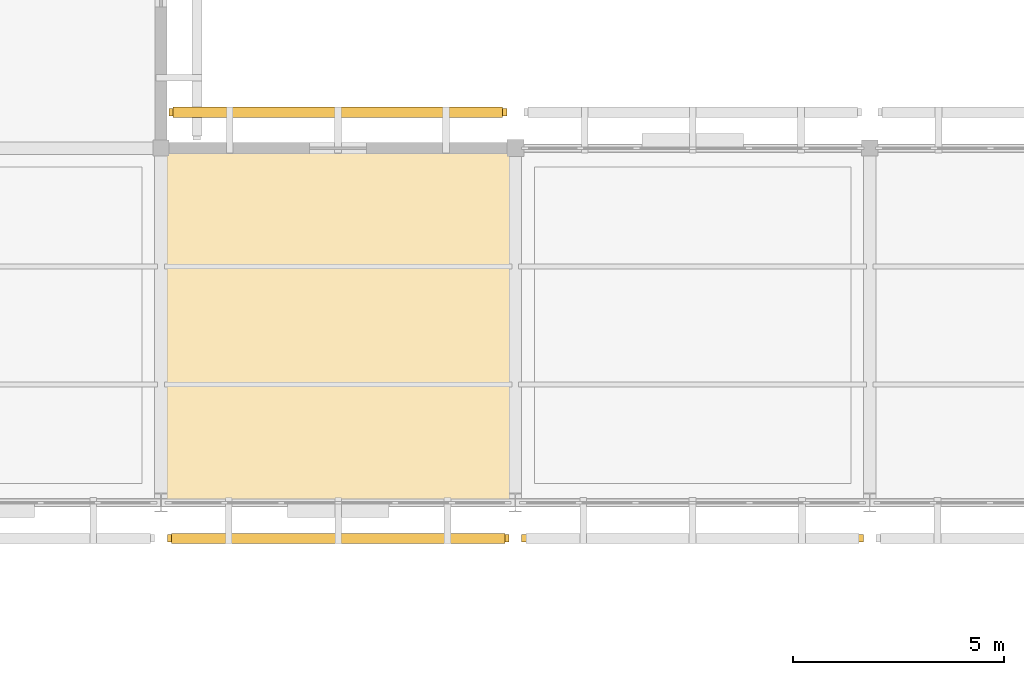
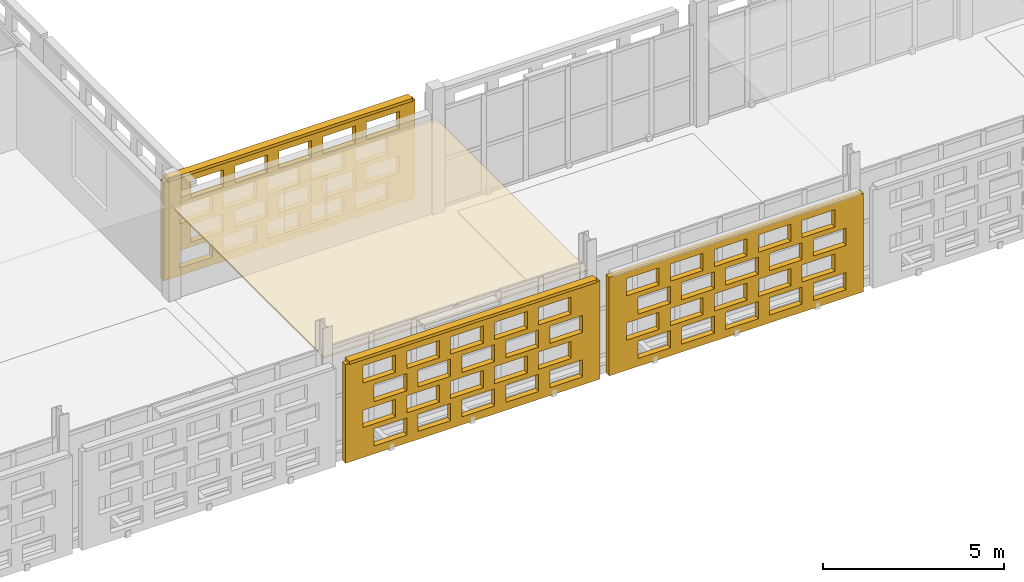
# One storey, part 140 of 166: 4 coverings, 2 shading devices, 60 openings.
"""IFC4 building model written with IfcOpenShell, lengths in metres."""

from ifc_helpers import new_model, si_unit, direction, frame, frame_2d, origin, origin_2d, place, context, subcontext, project, spatial, rectangle, extrude, material, layer, layer_set, type_object, element, save


model = new_model("IFC4")

# Units and contexts
model_context = context("Model", 3, precision=1e-05, world=origin(), true_north=direction((0.0, 1.0)))
body_context = subcontext(model_context, "Body", "Model", "MODEL_VIEW")
ifc_project = project(units=[si_unit("LENGTHUNIT", "METRE"), si_unit("AREAUNIT", "SQUARE_METRE"), si_unit("VOLUMEUNIT", "CUBIC_METRE"), si_unit("PLANEANGLEUNIT", "RADIAN"), si_unit("MASSUNIT", "GRAM", prefix="KILO")], contexts=[model_context])

# Site, building, storey
site_placement = place(None, origin())
site = spatial("IfcSite", under=ifc_project, at=site_placement, CompositionType="ELEMENT")
building_placement = place(site_placement, origin())
building = spatial("IfcBuilding", under=site, at=building_placement, Name="Varnapada Polytechnic", CompositionType="ELEMENT")
storey_placement = place(building_placement, frame((0.0, 0.0, 9.60009765625)))
storey = spatial("IfcBuildingStorey", under=building, at=storey_placement, Name="L02", CompositionType="ELEMENT", Elevation=9.60009765625)

# Covering
ifc_material_1 = material(Name="Slatted Merbau Timber Acoustic Ceiling", Category="wood")
ifc_layer_1 = layer(ifc_material_1, 0.054931640625)
ifc_layer_set_1 = layer_set([ifc_layer_1], Name="Slatted Merbau Timber Acoustic Ceiling")
covering_type_1 = type_object("IfcCoveringType", Name="Suspended Ceiling CLG-05", PredefinedType="CEILING", material=ifc_layer_set_1)
covering_1_placement = place(storey_placement, frame((71.39990234375, 88.199951171875, 3.0224609375), z_axis=(0.0, 0.0, 1.0), x_axis=(1.0, 0.0, 0.0)))
element("IfcCovering", 1, at=covering_1_placement, inside=storey, type_object=covering_type_1, Name="L02 suspended acoustic ceiling (9,11)", PredefinedType="CEILING", context=body_context, shape_type="SweptSolid", body=[
    extrude(rectangle(XDim=8.419921875, YDim=8.419921875, at=origin_2d()), origin(), (0.0, 0.0, 1.0), 0.054931640625),
])

# Covering, openings
ifc_material_2 = material(Name="Earth-toned architectural terracotta screen block", Category="masonry")
ifc_layer_2 = layer(ifc_material_2, 0.1201171875)
ifc_layer_set_2 = layer_set([ifc_layer_2], Name="Earth-toned architectural terracotta screen block")
covering_type_2 = type_object("IfcCoveringType", Name="Terracotta Screen Cladding CLD-01", PredefinedType="CLADDING", material=ifc_layer_set_2)
covering_2_placement = place(storey_placement, frame((75.449951171875, 83.14990234375, 0.0), z_axis=(0.0, 0.0, 1.0), x_axis=(-1.0, 0.0, 0.0)))
covering_2 = element("IfcCovering", 2, at=covering_2_placement, inside=storey, type_object=covering_type_2, Name="L02 perforated terracotta block screen (58)", PredefinedType="CLADDING", context=body_context, shape_type="SweptSolid", body=[
    extrude(rectangle(XDim=8.099853515625, YDim=0.179931640625, at=frame_2d((4.0498046875, 0.0))), origin(), (0.0, 0.0, 1.0), 3.31982421875),
])
opening_1_placement = place(covering_2_placement, frame((0.550048828125, 0.0, 0.265625)))
element("IfcOpeningElement", 3, at=opening_1_placement, cuts=covering_2, Name="Screen perforation TBS-L02-057.1", PredefinedType="OPENING", context=body_context, shape_type="SweptSolid", body=[
    extrude(rectangle(XDim=1.0400390625, YDim=0.5810546875, at=frame_2d((0.52001953125, 0.29052734375))), frame((0.0, 0.099853515625, 0.0), z_axis=(0.0, -1.0, 0.0), x_axis=(1.0, 0.0, 0.0)), (0.0, 0.0, 1.0), 0.199951171875),
])
opening_2_placement = place(covering_2_placement, frame((1.949951171875, 0.0, 0.265625)))
element("IfcOpeningElement", 4, at=opening_2_placement, cuts=covering_2, Name="Screen perforation TBS-L02-057.2", PredefinedType="OPENING", context=body_context, shape_type="SweptSolid", body=[
    extrude(rectangle(XDim=1.0400390625, YDim=0.5810546875, at=frame_2d((0.52001953125, 0.29052734375))), frame((0.0, 0.099853515625, 0.0), z_axis=(0.0, -1.0, 0.0), x_axis=(1.0, 0.0, 0.0)), (0.0, 0.0, 1.0), 0.199951171875),
])
opening_3_placement = place(covering_2_placement, frame((3.35009765625, 0.0, 0.265625)))
element("IfcOpeningElement", 5, at=opening_3_placement, cuts=covering_2, Name="Screen perforation TBS-L02-057.3", PredefinedType="OPENING", context=body_context, shape_type="SweptSolid", body=[
    extrude(rectangle(XDim=1.0400390625, YDim=0.5810546875, at=frame_2d((0.52001953125, 0.29052734375))), frame((0.0, 0.099853515625, 0.0), z_axis=(0.0, -1.0, 0.0), x_axis=(1.0, 0.0, 0.0)), (0.0, 0.0, 1.0), 0.199951171875),
])
opening_4_placement = place(covering_2_placement, frame((4.75, 0.0, 0.265625)))
element("IfcOpeningElement", 6, at=opening_4_placement, cuts=covering_2, Name="Screen perforation TBS-L02-057.4", PredefinedType="OPENING", context=body_context, shape_type="SweptSolid", body=[
    extrude(rectangle(XDim=1.0400390625, YDim=0.5810546875, at=frame_2d((0.52001953125, 0.29052734375))), frame((0.0, 0.099853515625, 0.0), z_axis=(0.0, -1.0, 0.0), x_axis=(1.0, 0.0, 0.0)), (0.0, 0.0, 1.0), 0.199951171875),
])
opening_5_placement = place(covering_2_placement, frame((6.14990234375, 0.0, 0.265625)))
element("IfcOpeningElement", 7, at=opening_5_placement, cuts=covering_2, Name="Screen perforation TBS-L02-057.5", PredefinedType="OPENING", context=body_context, shape_type="SweptSolid", body=[
    extrude(rectangle(XDim=1.0400390625, YDim=0.5810546875, at=frame_2d((0.52001953125, 0.29052734375))), frame((0.0, 0.099853515625, 0.0), z_axis=(0.0, -1.0, 0.0), x_axis=(1.0, 0.0, 0.0)), (0.0, 0.0, 1.0), 0.199951171875),
])
opening_6_placement = place(covering_2_placement, frame((0.909912109375, 0.0, 1.0126953125)))
element("IfcOpeningElement", 8, at=opening_6_placement, cuts=covering_2, Name="Screen perforation TBS-L02-057.6", PredefinedType="OPENING", context=body_context, shape_type="SweptSolid", body=[
    extrude(rectangle(XDim=1.0400390625, YDim=0.5810546875, at=frame_2d((0.52001953125, 0.29052734375))), frame((0.0, 0.099853515625, 0.0), z_axis=(0.0, -1.0, 0.0), x_axis=(1.0, 0.0, 0.0)), (0.0, 0.0, 1.0), 0.199951171875),
])
opening_7_placement = place(covering_2_placement, frame((2.31005859375, 0.0, 1.0126953125)))
element("IfcOpeningElement", 9, at=opening_7_placement, cuts=covering_2, Name="Screen perforation TBS-L02-057.7", PredefinedType="OPENING", context=body_context, shape_type="SweptSolid", body=[
    extrude(rectangle(XDim=1.0400390625, YDim=0.5810546875, at=frame_2d((0.52001953125, 0.29052734375))), frame((0.0, 0.099853515625, 0.0), z_axis=(0.0, -1.0, 0.0), x_axis=(1.0, 0.0, 0.0)), (0.0, 0.0, 1.0), 0.199951171875),
])
opening_8_placement = place(covering_2_placement, frame((3.7099609375, 0.0, 1.0126953125)))
element("IfcOpeningElement", 10, at=opening_8_placement, cuts=covering_2, Name="Screen perforation TBS-L02-057.8", PredefinedType="OPENING", context=body_context, shape_type="SweptSolid", body=[
    extrude(rectangle(XDim=1.0400390625, YDim=0.5810546875, at=frame_2d((0.52001953125, 0.29052734375))), frame((0.0, 0.099853515625, 0.0), z_axis=(0.0, -1.0, 0.0), x_axis=(1.0, 0.0, 0.0)), (0.0, 0.0, 1.0), 0.199951171875),
])
opening_9_placement = place(covering_2_placement, frame((5.110107421875, 0.0, 1.0126953125)))
element("IfcOpeningElement", 11, at=opening_9_placement, cuts=covering_2, Name="Screen perforation TBS-L02-057.9", PredefinedType="OPENING", context=body_context, shape_type="SweptSolid", body=[
    extrude(rectangle(XDim=1.0400390625, YDim=0.5810546875, at=frame_2d((0.52001953125, 0.29052734375))), frame((0.0, 0.099853515625, 0.0), z_axis=(0.0, -1.0, 0.0), x_axis=(1.0, 0.0, 0.0)), (0.0, 0.0, 1.0), 0.199951171875),
])
opening_10_placement = place(covering_2_placement, frame((6.510009765625, 0.0, 1.0126953125)))
element("IfcOpeningElement", 12, at=opening_10_placement, cuts=covering_2, Name="Screen perforation TBS-L02-057.10", PredefinedType="OPENING", context=body_context, shape_type="SweptSolid", body=[
    extrude(rectangle(XDim=1.0400390625, YDim=0.5810546875, at=frame_2d((0.52001953125, 0.29052734375))), frame((0.0, 0.099853515625, 0.0), z_axis=(0.0, -1.0, 0.0), x_axis=(1.0, 0.0, 0.0)), (0.0, 0.0, 1.0), 0.199951171875),
])
opening_11_placement = place(covering_2_placement, frame((0.550048828125, 0.0, 1.759521484375)))
element("IfcOpeningElement", 13, at=opening_11_placement, cuts=covering_2, Name="Screen perforation TBS-L02-057.11", PredefinedType="OPENING", context=body_context, shape_type="SweptSolid", body=[
    extrude(rectangle(XDim=1.0400390625, YDim=0.5810546875, at=frame_2d((0.52001953125, 0.29052734375))), frame((0.0, 0.099853515625, 0.0), z_axis=(0.0, -1.0, 0.0), x_axis=(1.0, 0.0, 0.0)), (0.0, 0.0, 1.0), 0.199951171875),
])
opening_12_placement = place(covering_2_placement, frame((1.949951171875, 0.0, 1.759521484375)))
element("IfcOpeningElement", 14, at=opening_12_placement, cuts=covering_2, Name="Screen perforation TBS-L02-057.12", PredefinedType="OPENING", context=body_context, shape_type="SweptSolid", body=[
    extrude(rectangle(XDim=1.0400390625, YDim=0.5810546875, at=frame_2d((0.52001953125, 0.29052734375))), frame((0.0, 0.099853515625, 0.0), z_axis=(0.0, -1.0, 0.0), x_axis=(1.0, 0.0, 0.0)), (0.0, 0.0, 1.0), 0.199951171875),
])
opening_13_placement = place(covering_2_placement, frame((3.35009765625, 0.0, 1.759521484375)))
element("IfcOpeningElement", 15, at=opening_13_placement, cuts=covering_2, Name="Screen perforation TBS-L02-057.13", PredefinedType="OPENING", context=body_context, shape_type="SweptSolid", body=[
    extrude(rectangle(XDim=1.0400390625, YDim=0.5810546875, at=frame_2d((0.52001953125, 0.29052734375))), frame((0.0, 0.099853515625, 0.0), z_axis=(0.0, -1.0, 0.0), x_axis=(1.0, 0.0, 0.0)), (0.0, 0.0, 1.0), 0.199951171875),
])
opening_14_placement = place(covering_2_placement, frame((4.75, 0.0, 1.759521484375)))
element("IfcOpeningElement", 16, at=opening_14_placement, cuts=covering_2, Name="Screen perforation TBS-L02-057.14", PredefinedType="OPENING", context=body_context, shape_type="SweptSolid", body=[
    extrude(rectangle(XDim=1.0400390625, YDim=0.5810546875, at=frame_2d((0.52001953125, 0.29052734375))), frame((0.0, 0.099853515625, 0.0), z_axis=(0.0, -1.0, 0.0), x_axis=(1.0, 0.0, 0.0)), (0.0, 0.0, 1.0), 0.199951171875),
])
opening_15_placement = place(covering_2_placement, frame((6.14990234375, 0.0, 1.759521484375)))
element("IfcOpeningElement", 17, at=opening_15_placement, cuts=covering_2, Name="Screen perforation TBS-L02-057.15", PredefinedType="OPENING", context=body_context, shape_type="SweptSolid", body=[
    extrude(rectangle(XDim=1.0400390625, YDim=0.5810546875, at=frame_2d((0.52001953125, 0.29052734375))), frame((0.0, 0.099853515625, 0.0), z_axis=(0.0, -1.0, 0.0), x_axis=(1.0, 0.0, 0.0)), (0.0, 0.0, 1.0), 0.199951171875),
])
opening_16_placement = place(covering_2_placement, frame((0.909912109375, 0.0, 2.506591796875)))
element("IfcOpeningElement", 18, at=opening_16_placement, cuts=covering_2, Name="Screen perforation TBS-L02-057.16", PredefinedType="OPENING", context=body_context, shape_type="SweptSolid", body=[
    extrude(rectangle(XDim=1.0400390625, YDim=0.5810546875, at=frame_2d((0.52001953125, 0.29052734375))), frame((0.0, 0.099853515625, 0.0), z_axis=(0.0, -1.0, 0.0), x_axis=(1.0, 0.0, 0.0)), (0.0, 0.0, 1.0), 0.199951171875),
])
opening_17_placement = place(covering_2_placement, frame((2.31005859375, 0.0, 2.506591796875)))
element("IfcOpeningElement", 19, at=opening_17_placement, cuts=covering_2, Name="Screen perforation TBS-L02-057.17", PredefinedType="OPENING", context=body_context, shape_type="SweptSolid", body=[
    extrude(rectangle(XDim=1.0400390625, YDim=0.5810546875, at=frame_2d((0.52001953125, 0.29052734375))), frame((0.0, 0.099853515625, 0.0), z_axis=(0.0, -1.0, 0.0), x_axis=(1.0, 0.0, 0.0)), (0.0, 0.0, 1.0), 0.199951171875),
])
opening_18_placement = place(covering_2_placement, frame((3.7099609375, 0.0, 2.506591796875)))
element("IfcOpeningElement", 20, at=opening_18_placement, cuts=covering_2, Name="Screen perforation TBS-L02-057.18", PredefinedType="OPENING", context=body_context, shape_type="SweptSolid", body=[
    extrude(rectangle(XDim=1.0400390625, YDim=0.5810546875, at=frame_2d((0.52001953125, 0.29052734375))), frame((0.0, 0.099853515625, 0.0), z_axis=(0.0, -1.0, 0.0), x_axis=(1.0, 0.0, 0.0)), (0.0, 0.0, 1.0), 0.199951171875),
])
opening_19_placement = place(covering_2_placement, frame((5.110107421875, 0.0, 2.506591796875)))
element("IfcOpeningElement", 21, at=opening_19_placement, cuts=covering_2, Name="Screen perforation TBS-L02-057.19", PredefinedType="OPENING", context=body_context, shape_type="SweptSolid", body=[
    extrude(rectangle(XDim=1.0400390625, YDim=0.5810546875, at=frame_2d((0.52001953125, 0.29052734375))), frame((0.0, 0.099853515625, 0.0), z_axis=(0.0, -1.0, 0.0), x_axis=(1.0, 0.0, 0.0)), (0.0, 0.0, 1.0), 0.199951171875),
])
opening_20_placement = place(covering_2_placement, frame((6.510009765625, 0.0, 2.506591796875)))
element("IfcOpeningElement", 22, at=opening_20_placement, cuts=covering_2, Name="Screen perforation TBS-L02-057.20", PredefinedType="OPENING", context=body_context, shape_type="SweptSolid", body=[
    extrude(rectangle(XDim=1.0400390625, YDim=0.5810546875, at=frame_2d((0.52001953125, 0.29052734375))), frame((0.0, 0.099853515625, 0.0), z_axis=(0.0, -1.0, 0.0), x_axis=(1.0, 0.0, 0.0)), (0.0, 0.0, 1.0), 0.199951171875),
])

covering_3_placement = place(storey_placement, frame((67.389892578125, 93.25, 0.0), z_axis=(0.0, 0.0, 1.0), x_axis=(1.0, 0.0, 0.0)))
covering_3 = element("IfcCovering", 23, at=covering_3_placement, inside=storey, type_object=covering_type_2, Name="L02 perforated terracotta block screen (59)", PredefinedType="CLADDING", context=body_context, shape_type="SweptSolid", body=[
    extrude(rectangle(XDim=8.010009765625, YDim=0.179931640625, at=frame_2d((4.0048828125, 0.0))), origin(), (0.0, 0.0, 1.0), 3.31982421875),
])
opening_21_placement = place(covering_3_placement, frame((0.5048828125, 0.0, 0.265625)))
element("IfcOpeningElement", 24, at=opening_21_placement, cuts=covering_3, Name="Screen perforation TBS-L02-058.1", PredefinedType="OPENING", context=body_context, shape_type="SweptSolid", body=[
    extrude(rectangle(XDim=1.0400390625, YDim=0.5810546875, at=frame_2d((0.52001953125, 0.29052734375))), frame((0.0, 0.099853515625, 0.0), z_axis=(0.0, -1.0, 0.0), x_axis=(1.0, 0.0, 0.0)), (0.0, 0.0, 1.0), 0.199951171875),
])
opening_22_placement = place(covering_3_placement, frame((1.905029296875, 0.0, 0.265625)))
element("IfcOpeningElement", 25, at=opening_22_placement, cuts=covering_3, Name="Screen perforation TBS-L02-058.2", PredefinedType="OPENING", context=body_context, shape_type="SweptSolid", body=[
    extrude(rectangle(XDim=1.0400390625, YDim=0.5810546875, at=frame_2d((0.52001953125, 0.29052734375))), frame((0.0, 0.099853515625, 0.0), z_axis=(0.0, -1.0, 0.0), x_axis=(1.0, 0.0, 0.0)), (0.0, 0.0, 1.0), 0.199951171875),
])
opening_23_placement = place(covering_3_placement, frame((3.304931640625, 0.0, 0.265625)))
element("IfcOpeningElement", 26, at=opening_23_placement, cuts=covering_3, Name="Screen perforation TBS-L02-058.3", PredefinedType="OPENING", context=body_context, shape_type="SweptSolid", body=[
    extrude(rectangle(XDim=1.0400390625, YDim=0.5810546875, at=frame_2d((0.52001953125, 0.29052734375))), frame((0.0, 0.099853515625, 0.0), z_axis=(0.0, -1.0, 0.0), x_axis=(1.0, 0.0, 0.0)), (0.0, 0.0, 1.0), 0.199951171875),
])
opening_24_placement = place(covering_3_placement, frame((4.705078125, 0.0, 0.265625)))
element("IfcOpeningElement", 27, at=opening_24_placement, cuts=covering_3, Name="Screen perforation TBS-L02-058.4", PredefinedType="OPENING", context=body_context, shape_type="SweptSolid", body=[
    extrude(rectangle(XDim=1.0400390625, YDim=0.5810546875, at=frame_2d((0.52001953125, 0.29052734375))), frame((0.0, 0.099853515625, 0.0), z_axis=(0.0, -1.0, 0.0), x_axis=(1.0, 0.0, 0.0)), (0.0, 0.0, 1.0), 0.199951171875),
])
opening_25_placement = place(covering_3_placement, frame((6.10498046875, 0.0, 0.265625)))
element("IfcOpeningElement", 28, at=opening_25_placement, cuts=covering_3, Name="Screen perforation TBS-L02-058.5", PredefinedType="OPENING", context=body_context, shape_type="SweptSolid", body=[
    extrude(rectangle(XDim=1.0400390625, YDim=0.5810546875, at=frame_2d((0.52001953125, 0.29052734375))), frame((0.0, 0.099853515625, 0.0), z_axis=(0.0, -1.0, 0.0), x_axis=(1.0, 0.0, 0.0)), (0.0, 0.0, 1.0), 0.199951171875),
])
opening_26_placement = place(covering_3_placement, frame((0.864990234375, 0.0, 1.0126953125)))
element("IfcOpeningElement", 29, at=opening_26_placement, cuts=covering_3, Name="Screen perforation TBS-L02-058.6", PredefinedType="OPENING", context=body_context, shape_type="SweptSolid", body=[
    extrude(rectangle(XDim=1.0400390625, YDim=0.5810546875, at=frame_2d((0.52001953125, 0.29052734375))), frame((0.0, 0.099853515625, 0.0), z_axis=(0.0, -1.0, 0.0), x_axis=(1.0, 0.0, 0.0)), (0.0, 0.0, 1.0), 0.199951171875),
])
opening_27_placement = place(covering_3_placement, frame((2.264892578125, 0.0, 1.0126953125)))
element("IfcOpeningElement", 30, at=opening_27_placement, cuts=covering_3, Name="Screen perforation TBS-L02-058.7", PredefinedType="OPENING", context=body_context, shape_type="SweptSolid", body=[
    extrude(rectangle(XDim=1.0400390625, YDim=0.5810546875, at=frame_2d((0.52001953125, 0.29052734375))), frame((0.0, 0.099853515625, 0.0), z_axis=(0.0, -1.0, 0.0), x_axis=(1.0, 0.0, 0.0)), (0.0, 0.0, 1.0), 0.199951171875),
])
opening_28_placement = place(covering_3_placement, frame((3.6650390625, 0.0, 1.0126953125)))
element("IfcOpeningElement", 31, at=opening_28_placement, cuts=covering_3, Name="Screen perforation TBS-L02-058.8", PredefinedType="OPENING", context=body_context, shape_type="SweptSolid", body=[
    extrude(rectangle(XDim=1.0400390625, YDim=0.5810546875, at=frame_2d((0.52001953125, 0.29052734375))), frame((0.0, 0.099853515625, 0.0), z_axis=(0.0, -1.0, 0.0), x_axis=(1.0, 0.0, 0.0)), (0.0, 0.0, 1.0), 0.199951171875),
])
opening_29_placement = place(covering_3_placement, frame((5.06494140625, 0.0, 1.0126953125)))
element("IfcOpeningElement", 32, at=opening_29_placement, cuts=covering_3, Name="Screen perforation TBS-L02-058.9", PredefinedType="OPENING", context=body_context, shape_type="SweptSolid", body=[
    extrude(rectangle(XDim=1.0400390625, YDim=0.5810546875, at=frame_2d((0.52001953125, 0.29052734375))), frame((0.0, 0.099853515625, 0.0), z_axis=(0.0, -1.0, 0.0), x_axis=(1.0, 0.0, 0.0)), (0.0, 0.0, 1.0), 0.199951171875),
])
opening_30_placement = place(covering_3_placement, frame((6.465087890625, 0.0, 1.0126953125)))
element("IfcOpeningElement", 33, at=opening_30_placement, cuts=covering_3, Name="Screen perforation TBS-L02-058.10", PredefinedType="OPENING", context=body_context, shape_type="SweptSolid", body=[
    extrude(rectangle(XDim=1.0400390625, YDim=0.5810546875, at=frame_2d((0.52001953125, 0.29052734375))), frame((0.0, 0.099853515625, 0.0), z_axis=(0.0, -1.0, 0.0), x_axis=(1.0, 0.0, 0.0)), (0.0, 0.0, 1.0), 0.199951171875),
])
opening_31_placement = place(covering_3_placement, frame((0.5048828125, 0.0, 1.759521484375)))
element("IfcOpeningElement", 34, at=opening_31_placement, cuts=covering_3, Name="Screen perforation TBS-L02-058.11", PredefinedType="OPENING", context=body_context, shape_type="SweptSolid", body=[
    extrude(rectangle(XDim=1.0400390625, YDim=0.5810546875, at=frame_2d((0.52001953125, 0.29052734375))), frame((0.0, 0.099853515625, 0.0), z_axis=(0.0, -1.0, 0.0), x_axis=(1.0, 0.0, 0.0)), (0.0, 0.0, 1.0), 0.199951171875),
])
opening_32_placement = place(covering_3_placement, frame((1.905029296875, 0.0, 1.759521484375)))
element("IfcOpeningElement", 35, at=opening_32_placement, cuts=covering_3, Name="Screen perforation TBS-L02-058.12", PredefinedType="OPENING", context=body_context, shape_type="SweptSolid", body=[
    extrude(rectangle(XDim=1.0400390625, YDim=0.5810546875, at=frame_2d((0.52001953125, 0.29052734375))), frame((0.0, 0.099853515625, 0.0), z_axis=(0.0, -1.0, 0.0), x_axis=(1.0, 0.0, 0.0)), (0.0, 0.0, 1.0), 0.199951171875),
])
opening_33_placement = place(covering_3_placement, frame((3.304931640625, 0.0, 1.759521484375)))
element("IfcOpeningElement", 36, at=opening_33_placement, cuts=covering_3, Name="Screen perforation TBS-L02-058.13", PredefinedType="OPENING", context=body_context, shape_type="SweptSolid", body=[
    extrude(rectangle(XDim=1.0400390625, YDim=0.5810546875, at=frame_2d((0.52001953125, 0.29052734375))), frame((0.0, 0.099853515625, 0.0), z_axis=(0.0, -1.0, 0.0), x_axis=(1.0, 0.0, 0.0)), (0.0, 0.0, 1.0), 0.199951171875),
])
opening_34_placement = place(covering_3_placement, frame((4.705078125, 0.0, 1.759521484375)))
element("IfcOpeningElement", 37, at=opening_34_placement, cuts=covering_3, Name="Screen perforation TBS-L02-058.14", PredefinedType="OPENING", context=body_context, shape_type="SweptSolid", body=[
    extrude(rectangle(XDim=1.0400390625, YDim=0.5810546875, at=frame_2d((0.52001953125, 0.29052734375))), frame((0.0, 0.099853515625, 0.0), z_axis=(0.0, -1.0, 0.0), x_axis=(1.0, 0.0, 0.0)), (0.0, 0.0, 1.0), 0.199951171875),
])
opening_35_placement = place(covering_3_placement, frame((6.10498046875, 0.0, 1.759521484375)))
element("IfcOpeningElement", 38, at=opening_35_placement, cuts=covering_3, Name="Screen perforation TBS-L02-058.15", PredefinedType="OPENING", context=body_context, shape_type="SweptSolid", body=[
    extrude(rectangle(XDim=1.0400390625, YDim=0.5810546875, at=frame_2d((0.52001953125, 0.29052734375))), frame((0.0, 0.099853515625, 0.0), z_axis=(0.0, -1.0, 0.0), x_axis=(1.0, 0.0, 0.0)), (0.0, 0.0, 1.0), 0.199951171875),
])
opening_36_placement = place(covering_3_placement, frame((0.864990234375, 0.0, 2.506591796875)))
element("IfcOpeningElement", 39, at=opening_36_placement, cuts=covering_3, Name="Screen perforation TBS-L02-058.16", PredefinedType="OPENING", context=body_context, shape_type="SweptSolid", body=[
    extrude(rectangle(XDim=1.0400390625, YDim=0.5810546875, at=frame_2d((0.52001953125, 0.29052734375))), frame((0.0, 0.099853515625, 0.0), z_axis=(0.0, -1.0, 0.0), x_axis=(1.0, 0.0, 0.0)), (0.0, 0.0, 1.0), 0.199951171875),
])
opening_37_placement = place(covering_3_placement, frame((2.264892578125, 0.0, 2.506591796875)))
element("IfcOpeningElement", 40, at=opening_37_placement, cuts=covering_3, Name="Screen perforation TBS-L02-058.17", PredefinedType="OPENING", context=body_context, shape_type="SweptSolid", body=[
    extrude(rectangle(XDim=1.0400390625, YDim=0.5810546875, at=frame_2d((0.52001953125, 0.29052734375))), frame((0.0, 0.099853515625, 0.0), z_axis=(0.0, -1.0, 0.0), x_axis=(1.0, 0.0, 0.0)), (0.0, 0.0, 1.0), 0.199951171875),
])
opening_38_placement = place(covering_3_placement, frame((3.6650390625, 0.0, 2.506591796875)))
element("IfcOpeningElement", 41, at=opening_38_placement, cuts=covering_3, Name="Screen perforation TBS-L02-058.18", PredefinedType="OPENING", context=body_context, shape_type="SweptSolid", body=[
    extrude(rectangle(XDim=1.0400390625, YDim=0.5810546875, at=frame_2d((0.52001953125, 0.29052734375))), frame((0.0, 0.099853515625, 0.0), z_axis=(0.0, -1.0, 0.0), x_axis=(1.0, 0.0, 0.0)), (0.0, 0.0, 1.0), 0.199951171875),
])
opening_39_placement = place(covering_3_placement, frame((5.06494140625, 0.0, 2.506591796875)))
element("IfcOpeningElement", 42, at=opening_39_placement, cuts=covering_3, Name="Screen perforation TBS-L02-058.19", PredefinedType="OPENING", context=body_context, shape_type="SweptSolid", body=[
    extrude(rectangle(XDim=1.0400390625, YDim=0.5810546875, at=frame_2d((0.52001953125, 0.29052734375))), frame((0.0, 0.099853515625, 0.0), z_axis=(0.0, -1.0, 0.0), x_axis=(1.0, 0.0, 0.0)), (0.0, 0.0, 1.0), 0.199951171875),
])
opening_40_placement = place(covering_3_placement, frame((6.465087890625, 0.0, 2.506591796875)))
element("IfcOpeningElement", 43, at=opening_40_placement, cuts=covering_3, Name="Screen perforation TBS-L02-058.20", PredefinedType="OPENING", context=body_context, shape_type="SweptSolid", body=[
    extrude(rectangle(XDim=1.0400390625, YDim=0.5810546875, at=frame_2d((0.52001953125, 0.29052734375))), frame((0.0, 0.099853515625, 0.0), z_axis=(0.0, -1.0, 0.0), x_axis=(1.0, 0.0, 0.0)), (0.0, 0.0, 1.0), 0.199951171875),
])

covering_4_placement = place(storey_placement, frame((83.85009765625, 83.14990234375, 0.0), z_axis=(0.0, 0.0, 1.0), x_axis=(-1.0, 0.0, 0.0)))
covering_4 = element("IfcCovering", 44, at=covering_4_placement, inside=storey, type_object=covering_type_2, Name="L02 perforated terracotta block screen (60)", PredefinedType="CLADDING", context=body_context, shape_type="SweptSolid", body=[
    extrude(rectangle(XDim=8.10009765625, YDim=0.179931640625, at=frame_2d((4.050048828125, 0.0))), origin(), (0.0, 0.0, 1.0), 3.31982421875),
])
opening_41_placement = place(covering_4_placement, frame((0.550048828125, 0.0, 0.265625)))
element("IfcOpeningElement", 45, at=opening_41_placement, cuts=covering_4, Name="Screen perforation TBS-L02-059.1", PredefinedType="OPENING", context=body_context, shape_type="SweptSolid", body=[
    extrude(rectangle(XDim=1.0400390625, YDim=0.5810546875, at=frame_2d((0.52001953125, 0.29052734375))), frame((0.0, 0.099853515625, 0.0), z_axis=(0.0, -1.0, 0.0), x_axis=(1.0, 0.0, 0.0)), (0.0, 0.0, 1.0), 0.199951171875),
])
opening_42_placement = place(covering_4_placement, frame((1.949951171875, 0.0, 0.265625)))
element("IfcOpeningElement", 46, at=opening_42_placement, cuts=covering_4, Name="Screen perforation TBS-L02-059.2", PredefinedType="OPENING", context=body_context, shape_type="SweptSolid", body=[
    extrude(rectangle(XDim=1.0400390625, YDim=0.5810546875, at=frame_2d((0.52001953125, 0.29052734375))), frame((0.0, 0.099853515625, 0.0), z_axis=(0.0, -1.0, 0.0), x_axis=(1.0, 0.0, 0.0)), (0.0, 0.0, 1.0), 0.199951171875),
])
opening_43_placement = place(covering_4_placement, frame((3.35009765625, 0.0, 0.265625)))
element("IfcOpeningElement", 47, at=opening_43_placement, cuts=covering_4, Name="Screen perforation TBS-L02-059.3", PredefinedType="OPENING", context=body_context, shape_type="SweptSolid", body=[
    extrude(rectangle(XDim=1.0400390625, YDim=0.5810546875, at=frame_2d((0.52001953125, 0.29052734375))), frame((0.0, 0.099853515625, 0.0), z_axis=(0.0, -1.0, 0.0), x_axis=(1.0, 0.0, 0.0)), (0.0, 0.0, 1.0), 0.199951171875),
])
opening_44_placement = place(covering_4_placement, frame((4.75, 0.0, 0.265625)))
element("IfcOpeningElement", 48, at=opening_44_placement, cuts=covering_4, Name="Screen perforation TBS-L02-059.4", PredefinedType="OPENING", context=body_context, shape_type="SweptSolid", body=[
    extrude(rectangle(XDim=1.0400390625, YDim=0.5810546875, at=frame_2d((0.52001953125, 0.29052734375))), frame((0.0, 0.099853515625, 0.0), z_axis=(0.0, -1.0, 0.0), x_axis=(1.0, 0.0, 0.0)), (0.0, 0.0, 1.0), 0.199951171875),
])
opening_45_placement = place(covering_4_placement, frame((6.14990234375, 0.0, 0.265625)))
element("IfcOpeningElement", 49, at=opening_45_placement, cuts=covering_4, Name="Screen perforation TBS-L02-059.5", PredefinedType="OPENING", context=body_context, shape_type="SweptSolid", body=[
    extrude(rectangle(XDim=1.0400390625, YDim=0.5810546875, at=frame_2d((0.52001953125, 0.29052734375))), frame((0.0, 0.099853515625, 0.0), z_axis=(0.0, -1.0, 0.0), x_axis=(1.0, 0.0, 0.0)), (0.0, 0.0, 1.0), 0.199951171875),
])
opening_46_placement = place(covering_4_placement, frame((0.909912109375, 0.0, 1.0126953125)))
element("IfcOpeningElement", 50, at=opening_46_placement, cuts=covering_4, Name="Screen perforation TBS-L02-059.6", PredefinedType="OPENING", context=body_context, shape_type="SweptSolid", body=[
    extrude(rectangle(XDim=1.0400390625, YDim=0.5810546875, at=frame_2d((0.52001953125, 0.29052734375))), frame((0.0, 0.099853515625, 0.0), z_axis=(0.0, -1.0, 0.0), x_axis=(1.0, 0.0, 0.0)), (0.0, 0.0, 1.0), 0.199951171875),
])
opening_47_placement = place(covering_4_placement, frame((2.31005859375, 0.0, 1.0126953125)))
element("IfcOpeningElement", 51, at=opening_47_placement, cuts=covering_4, Name="Screen perforation TBS-L02-059.7", PredefinedType="OPENING", context=body_context, shape_type="SweptSolid", body=[
    extrude(rectangle(XDim=1.0400390625, YDim=0.5810546875, at=frame_2d((0.52001953125, 0.29052734375))), frame((0.0, 0.099853515625, 0.0), z_axis=(0.0, -1.0, 0.0), x_axis=(1.0, 0.0, 0.0)), (0.0, 0.0, 1.0), 0.199951171875),
])
opening_48_placement = place(covering_4_placement, frame((3.7099609375, 0.0, 1.0126953125)))
element("IfcOpeningElement", 52, at=opening_48_placement, cuts=covering_4, Name="Screen perforation TBS-L02-059.8", PredefinedType="OPENING", context=body_context, shape_type="SweptSolid", body=[
    extrude(rectangle(XDim=1.0400390625, YDim=0.5810546875, at=frame_2d((0.52001953125, 0.29052734375))), frame((0.0, 0.099853515625, 0.0), z_axis=(0.0, -1.0, 0.0), x_axis=(1.0, 0.0, 0.0)), (0.0, 0.0, 1.0), 0.199951171875),
])
opening_49_placement = place(covering_4_placement, frame((5.110107421875, 0.0, 1.0126953125)))
element("IfcOpeningElement", 53, at=opening_49_placement, cuts=covering_4, Name="Screen perforation TBS-L02-059.9", PredefinedType="OPENING", context=body_context, shape_type="SweptSolid", body=[
    extrude(rectangle(XDim=1.0400390625, YDim=0.5810546875, at=frame_2d((0.52001953125, 0.29052734375))), frame((0.0, 0.099853515625, 0.0), z_axis=(0.0, -1.0, 0.0), x_axis=(1.0, 0.0, 0.0)), (0.0, 0.0, 1.0), 0.199951171875),
])
opening_50_placement = place(covering_4_placement, frame((6.510009765625, 0.0, 1.0126953125)))
element("IfcOpeningElement", 54, at=opening_50_placement, cuts=covering_4, Name="Screen perforation TBS-L02-059.10", PredefinedType="OPENING", context=body_context, shape_type="SweptSolid", body=[
    extrude(rectangle(XDim=1.0400390625, YDim=0.5810546875, at=frame_2d((0.52001953125, 0.29052734375))), frame((0.0, 0.099853515625, 0.0), z_axis=(0.0, -1.0, 0.0), x_axis=(1.0, 0.0, 0.0)), (0.0, 0.0, 1.0), 0.199951171875),
])
opening_51_placement = place(covering_4_placement, frame((0.550048828125, 0.0, 1.759521484375)))
element("IfcOpeningElement", 55, at=opening_51_placement, cuts=covering_4, Name="Screen perforation TBS-L02-059.11", PredefinedType="OPENING", context=body_context, shape_type="SweptSolid", body=[
    extrude(rectangle(XDim=1.0400390625, YDim=0.5810546875, at=frame_2d((0.52001953125, 0.29052734375))), frame((0.0, 0.099853515625, 0.0), z_axis=(0.0, -1.0, 0.0), x_axis=(1.0, 0.0, 0.0)), (0.0, 0.0, 1.0), 0.199951171875),
])
opening_52_placement = place(covering_4_placement, frame((1.949951171875, 0.0, 1.759521484375)))
element("IfcOpeningElement", 56, at=opening_52_placement, cuts=covering_4, Name="Screen perforation TBS-L02-059.12", PredefinedType="OPENING", context=body_context, shape_type="SweptSolid", body=[
    extrude(rectangle(XDim=1.0400390625, YDim=0.5810546875, at=frame_2d((0.52001953125, 0.29052734375))), frame((0.0, 0.099853515625, 0.0), z_axis=(0.0, -1.0, 0.0), x_axis=(1.0, 0.0, 0.0)), (0.0, 0.0, 1.0), 0.199951171875),
])
opening_53_placement = place(covering_4_placement, frame((3.35009765625, 0.0, 1.759521484375)))
element("IfcOpeningElement", 57, at=opening_53_placement, cuts=covering_4, Name="Screen perforation TBS-L02-059.13", PredefinedType="OPENING", context=body_context, shape_type="SweptSolid", body=[
    extrude(rectangle(XDim=1.0400390625, YDim=0.5810546875, at=frame_2d((0.52001953125, 0.29052734375))), frame((0.0, 0.099853515625, 0.0), z_axis=(0.0, -1.0, 0.0), x_axis=(1.0, 0.0, 0.0)), (0.0, 0.0, 1.0), 0.199951171875),
])
opening_54_placement = place(covering_4_placement, frame((4.75, 0.0, 1.759521484375)))
element("IfcOpeningElement", 58, at=opening_54_placement, cuts=covering_4, Name="Screen perforation TBS-L02-059.14", PredefinedType="OPENING", context=body_context, shape_type="SweptSolid", body=[
    extrude(rectangle(XDim=1.0400390625, YDim=0.5810546875, at=frame_2d((0.52001953125, 0.29052734375))), frame((0.0, 0.099853515625, 0.0), z_axis=(0.0, -1.0, 0.0), x_axis=(1.0, 0.0, 0.0)), (0.0, 0.0, 1.0), 0.199951171875),
])
opening_55_placement = place(covering_4_placement, frame((6.14990234375, 0.0, 1.759521484375)))
element("IfcOpeningElement", 59, at=opening_55_placement, cuts=covering_4, Name="Screen perforation TBS-L02-059.15", PredefinedType="OPENING", context=body_context, shape_type="SweptSolid", body=[
    extrude(rectangle(XDim=1.0400390625, YDim=0.5810546875, at=frame_2d((0.52001953125, 0.29052734375))), frame((0.0, 0.099853515625, 0.0), z_axis=(0.0, -1.0, 0.0), x_axis=(1.0, 0.0, 0.0)), (0.0, 0.0, 1.0), 0.199951171875),
])
opening_56_placement = place(covering_4_placement, frame((0.909912109375, 0.0, 2.506591796875)))
element("IfcOpeningElement", 60, at=opening_56_placement, cuts=covering_4, Name="Screen perforation TBS-L02-059.16", PredefinedType="OPENING", context=body_context, shape_type="SweptSolid", body=[
    extrude(rectangle(XDim=1.0400390625, YDim=0.5810546875, at=frame_2d((0.52001953125, 0.29052734375))), frame((0.0, 0.099853515625, 0.0), z_axis=(0.0, -1.0, 0.0), x_axis=(1.0, 0.0, 0.0)), (0.0, 0.0, 1.0), 0.199951171875),
])
opening_57_placement = place(covering_4_placement, frame((2.31005859375, 0.0, 2.506591796875)))
element("IfcOpeningElement", 61, at=opening_57_placement, cuts=covering_4, Name="Screen perforation TBS-L02-059.17", PredefinedType="OPENING", context=body_context, shape_type="SweptSolid", body=[
    extrude(rectangle(XDim=1.0400390625, YDim=0.5810546875, at=frame_2d((0.52001953125, 0.29052734375))), frame((0.0, 0.099853515625, 0.0), z_axis=(0.0, -1.0, 0.0), x_axis=(1.0, 0.0, 0.0)), (0.0, 0.0, 1.0), 0.199951171875),
])
opening_58_placement = place(covering_4_placement, frame((3.7099609375, 0.0, 2.506591796875)))
element("IfcOpeningElement", 62, at=opening_58_placement, cuts=covering_4, Name="Screen perforation TBS-L02-059.18", PredefinedType="OPENING", context=body_context, shape_type="SweptSolid", body=[
    extrude(rectangle(XDim=1.0400390625, YDim=0.5810546875, at=frame_2d((0.52001953125, 0.29052734375))), frame((0.0, 0.099853515625, 0.0), z_axis=(0.0, -1.0, 0.0), x_axis=(1.0, 0.0, 0.0)), (0.0, 0.0, 1.0), 0.199951171875),
])
opening_59_placement = place(covering_4_placement, frame((5.110107421875, 0.0, 2.506591796875)))
element("IfcOpeningElement", 63, at=opening_59_placement, cuts=covering_4, Name="Screen perforation TBS-L02-059.19", PredefinedType="OPENING", context=body_context, shape_type="SweptSolid", body=[
    extrude(rectangle(XDim=1.0400390625, YDim=0.5810546875, at=frame_2d((0.52001953125, 0.29052734375))), frame((0.0, 0.099853515625, 0.0), z_axis=(0.0, -1.0, 0.0), x_axis=(1.0, 0.0, 0.0)), (0.0, 0.0, 1.0), 0.199951171875),
])
opening_60_placement = place(covering_4_placement, frame((6.510009765625, 0.0, 2.506591796875)))
element("IfcOpeningElement", 64, at=opening_60_placement, cuts=covering_4, Name="Screen perforation TBS-L02-059.20", PredefinedType="OPENING", context=body_context, shape_type="SweptSolid", body=[
    extrude(rectangle(XDim=1.0400390625, YDim=0.5810546875, at=frame_2d((0.52001953125, 0.29052734375))), frame((0.0, 0.099853515625, 0.0), z_axis=(0.0, -1.0, 0.0), x_axis=(1.0, 0.0, 0.0)), (0.0, 0.0, 1.0), 0.199951171875),
])

# Shading devices
ifc_layer_3 = layer(ifc_material_2, 0.179931640625)
ifc_layer_set_3 = layer_set([ifc_layer_3], Name="Earth-toned architectural terracotta screen block")
shading_device_type = type_object("IfcShadingDeviceType", Name="Terracotta Screen SCR-01", PredefinedType="USERDEFINED", material=ifc_layer_set_3)
shading_device_1_placement = place(storey_placement, frame((71.39990234375, 83.14990234375, 3.309814453125), z_axis=(0.0, 0.0, 1.0), x_axis=(-1.0, 0.0, 0.0)))
element("IfcShadingDevice", 65, at=shading_device_1_placement, inside=storey, type_object=shading_device_type, Name="L02 perforated terracotta screen hood 283", ObjectType="SCREEN", PredefinedType="USERDEFINED", context=body_context, shape_type="SweptSolid", body=[
    extrude(rectangle(XDim=7.89990234375, YDim=0.239990234375, at=origin_2d()), origin(), (0.0, 0.0, 1.0), 0.10009765625),
])
shading_device_2_placement = place(storey_placement, frame((71.39501953125, 93.25, 3.309814453125), z_axis=(0.0, 0.0, 1.0), x_axis=(1.0, 0.0, 0.0)))
element("IfcShadingDevice", 66, at=shading_device_2_placement, inside=storey, type_object=shading_device_type, Name="L02 perforated terracotta screen hood 284", ObjectType="SCREEN", PredefinedType="USERDEFINED", context=body_context, shape_type="SweptSolid", body=[
    extrude(rectangle(XDim=7.81005859375, YDim=0.239990234375, at=origin_2d()), origin(), (0.0, 0.0, 1.0), 0.10009765625),
])

save(model, "model.ifc")
